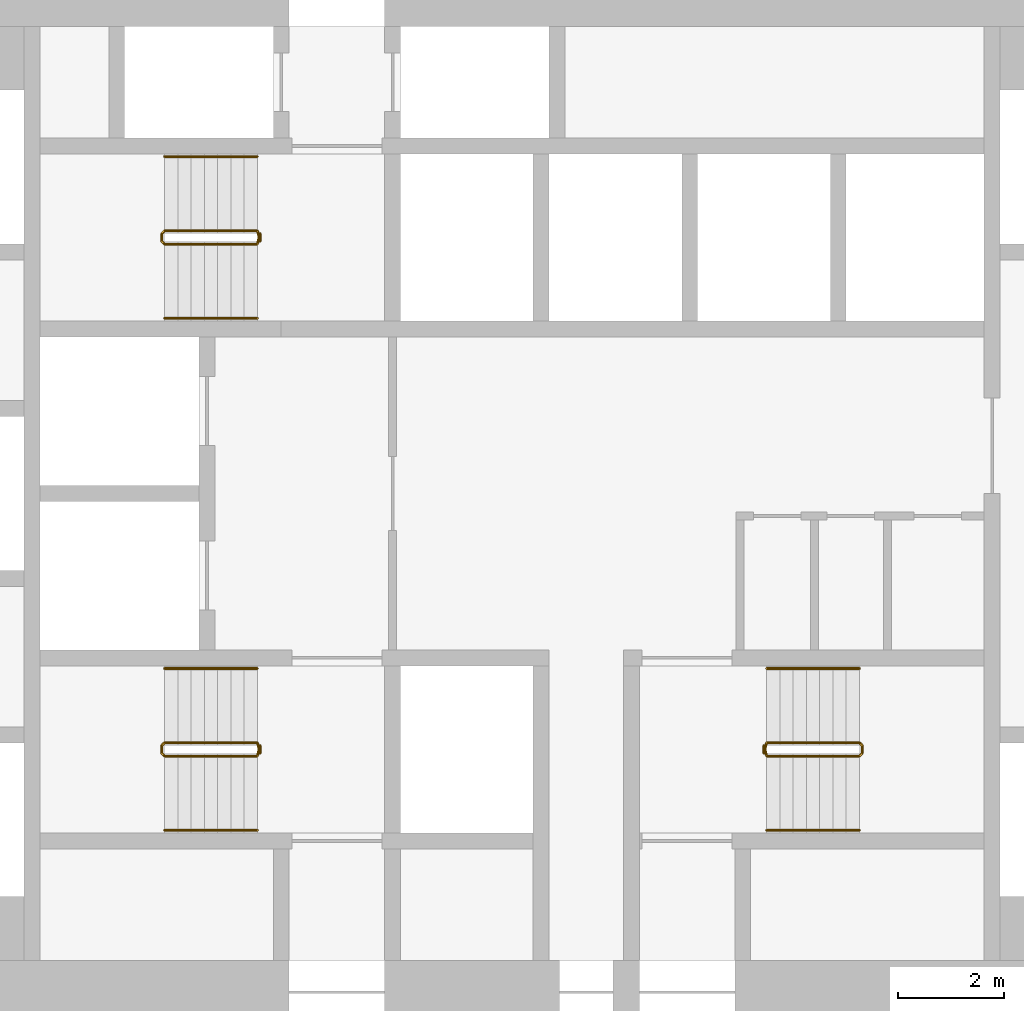
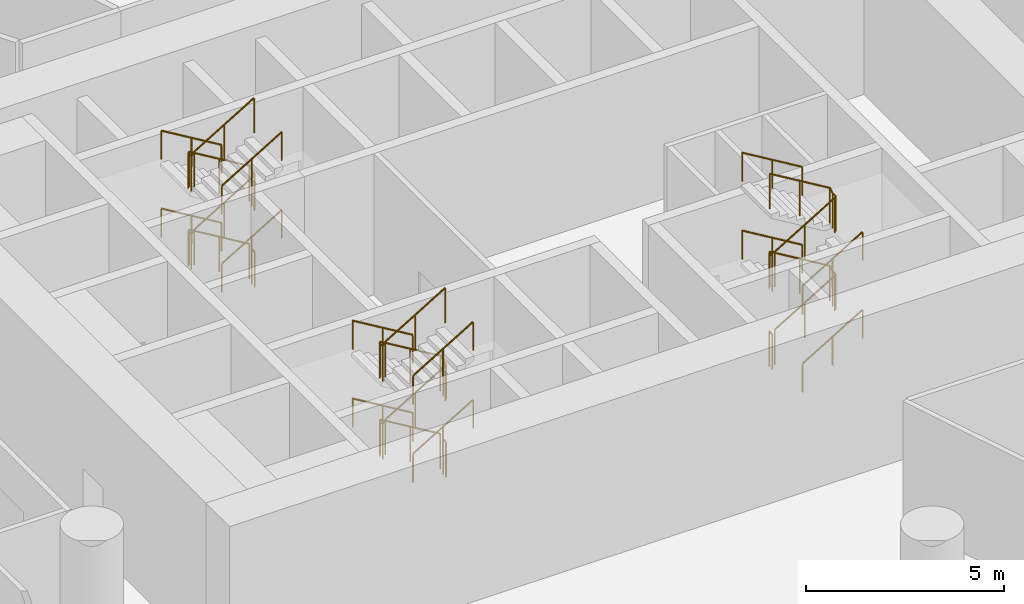
# One storey, part 12 of 12: 18 railings.
"""IFC4 building model written with IfcOpenShell, lengths in metres."""

from ifc_helpers import new_model, si_unit, direction, frame, origin, origin_2d, place, context, subcontext, project, spatial, circle, extrude, material, type_object, element, save


model = new_model("IFC4")

# Units and contexts
model_context = context("Model", 3, precision=1e-05, world=origin(), true_north=direction((0.0, 1.0)))
body_context = subcontext(model_context, "Body", "Model", "MODEL_VIEW")
ifc_project = project(units=[si_unit("LENGTHUNIT", "METRE"), si_unit("AREAUNIT", "SQUARE_METRE"), si_unit("VOLUMEUNIT", "CUBIC_METRE"), si_unit("PLANEANGLEUNIT", "RADIAN"), si_unit("MASSUNIT", "GRAM", prefix="KILO")], contexts=[model_context])

# Site, building, storey
site_placement = place(None, origin())
site = spatial("IfcSite", under=ifc_project, at=site_placement, CompositionType="ELEMENT")
building_placement = place(site_placement, origin())
building = spatial("IfcBuilding", under=site, at=building_placement, Name="Tracery Tower", CompositionType="ELEMENT")
storey_placement = place(building_placement, frame((0.0, 0.0, 13.800048828125)))
storey = spatial("IfcBuildingStorey", under=building, at=storey_placement, Name="L02", CompositionType="ELEMENT", Elevation=13.800048828125)

# Railings
ifc_material_1 = material(Name="Stainless steel and laminated glass", Category="steel")
railing_type_1 = type_object("IfcRailingType", Name="Stair guard 1100", PredefinedType="GUARDRAIL", material=ifc_material_1)
railing_1_placement = place(storey_placement, frame((-4.800048828125, -4.699951171875, 0.14990234375)))
element("IfcRailing", 1, at=railing_1_placement, inside=storey, type_object=railing_type_1, Name="L02 stair ST1 guard 1", PredefinedType="GUARDRAIL", context=body_context, shape_type="SweptSolid", body=[
    extrude(circle(Radius=0.02392578125, at=origin_2d()), frame((0.0, 0.0, 1.076171875), z_axis=(-0.857482370257, 0.0, 0.514513347444), x_axis=(0.0, -1.0, 0.0)), (0.0, 0.0, 1.0), 2.040771484375),
    extrude(circle(Radius=0.02392578125, at=origin_2d()), frame((-1.75, 0.0, 2.1259765625), z_axis=(-0.707106781187, -0.707106781187, 0.0), x_axis=(0.707106781187, -0.707106781187, 0.0)), (0.0, 0.0, 1.0), 0.07080078125),
    extrude(circle(Radius=0.02392578125, at=origin_2d()), frame((-1.800048828125, -0.050048828125, 2.1259765625), z_axis=(0.0, -1.0, 0.0), x_axis=(1.0, 0.0, 0.0)), (0.0, 0.0, 1.0), 0.14990234375),
    extrude(circle(Radius=0.02392578125, at=origin_2d()), frame((-1.800048828125, -0.199951171875, 2.1259765625), z_axis=(0.301912943143, -0.301912943143, 0.904266083366), x_axis=(0.707106781187, 0.707106781187, 0.0)), (0.0, 0.0, 1.0), 0.165771484375),
    extrude(circle(Radius=0.02392578125, at=origin_2d()), frame((-1.75, -0.25, 2.27587890625), z_axis=(0.857482370257, 0.0, 0.514513347444), x_axis=(0.0, 1.0, 0.0)), (0.0, 0.0, 1.0), 2.040771484375),
    extrude(circle(Radius=0.02392578125, at=origin_2d()), frame((0.0, -0.25, 3.326171875), z_axis=(0.242814311512, 0.970072785993, 0.0), x_axis=(-0.970072785993, 0.242814311512, 0.0)), (0.0, 0.0, 1.0), 0.2060546875),
    extrude(circle(Radius=0.02392578125, at=origin_2d()), frame((0.050048828125, -0.050048828125, 3.326171875), z_axis=(0.0, -1.0, 0.0), x_axis=(1.0, 0.0, 0.0)), (0.0, 0.0, 1.0), 0.14990234375),
    extrude(circle(Radius=0.02392578125, at=origin_2d()), frame((0.050048828125, -0.199951171875, 3.326171875), z_axis=(-0.196263390168, 0.784096178282, 0.588790170505), x_axis=(-0.970072785993, -0.242814311512, 0.0)), (0.0, 0.0, 1.0), 0.255126953125),
    extrude(circle(Radius=0.02392578125, at=origin_2d()), frame((0.0, 0.0, 3.47607421875), z_axis=(-0.857535146522, 0.0, 0.514425380866), x_axis=(0.0, -1.0, 0.0)), (0.0, 0.0, 1.0), 2.040771484375),
    extrude(circle(Radius=0.02392578125, at=origin_2d()), frame((-1.75, 0.0, 4.52587890625), z_axis=(-0.707106781187, -0.707106781187, 0.0), x_axis=(0.707106781187, -0.707106781187, 0.0)), (0.0, 0.0, 1.0), 0.07080078125),
    extrude(circle(Radius=0.02392578125, at=origin_2d()), frame((-1.800048828125, -0.050048828125, 4.52587890625), z_axis=(0.0, -1.0, 0.0), x_axis=(1.0, 0.0, 0.0)), (0.0, 0.0, 1.0), 0.14990234375),
    extrude(circle(Radius=0.02392578125, at=origin_2d()), frame((-1.800048828125, -0.199951171875, 4.52587890625), z_axis=(0.301511344578, -0.301511344578, 0.904534033733), x_axis=(0.707106781187, 0.707106781187, 0.0)), (0.0, 0.0, 1.0), 0.166015625),
    extrude(circle(Radius=0.02392578125, at=origin_2d()), frame((-1.75, -0.25, 4.67626953125), z_axis=(0.857482370257, 0.0, 0.514513347444), x_axis=(0.0, 1.0, 0.0)), (0.0, 0.0, 1.0), 2.040771484375),
    extrude(circle(Radius=0.02099609375, at=origin_2d()), origin(), (0.0, 0.0, 1.0), 1.052001953125),
    extrude(circle(Radius=0.02099609375, at=origin_2d()), frame((-0.875, 0.0, 0.52490234375)), (0.0, 0.0, 1.0), 1.052001953125),
    extrude(circle(Radius=0.02099609375, at=origin_2d()), frame((-1.75, 0.0, 1.050048828125)), (0.0, 0.0, 1.0), 1.052001953125),
    extrude(circle(Radius=0.02099609375, at=origin_2d()), frame((-1.800048828125, -0.050048828125, 1.050048828125)), (0.0, 0.0, 1.0), 1.052001953125),
    extrude(circle(Radius=0.02099609375, at=origin_2d()), frame((-1.800048828125, -0.199951171875, 1.050048828125)), (0.0, 0.0, 1.0), 1.052001953125),
    extrude(circle(Radius=0.02099609375, at=origin_2d()), frame((-1.75, -0.25, 1.199951171875)), (0.0, 0.0, 1.0), 1.052001953125),
    extrude(circle(Radius=0.02099609375, at=origin_2d()), frame((-0.875, -0.25, 1.72509765625)), (0.0, 0.0, 1.0), 1.052001953125),
    extrude(circle(Radius=0.02099609375, at=origin_2d()), frame((0.0, -0.25, 2.25)), (0.0, 0.0, 1.0), 1.052001953125),
    extrude(circle(Radius=0.02099609375, at=origin_2d()), frame((0.050048828125, -0.050048828125, 2.25)), (0.0, 0.0, 1.0), 1.052001953125),
    extrude(circle(Radius=0.02099609375, at=origin_2d()), frame((0.050048828125, -0.199951171875, 2.25)), (0.0, 0.0, 1.0), 1.052001953125),
    extrude(circle(Radius=0.02099609375, at=origin_2d()), frame((0.0, 0.0, 2.400146484375)), (0.0, 0.0, 1.0), 1.052001953125),
    extrude(circle(Radius=0.02099609375, at=origin_2d()), frame((-0.875, 0.0, 2.925048828125)), (0.0, 0.0, 1.0), 1.052001953125),
    extrude(circle(Radius=0.02099609375, at=origin_2d()), frame((-1.75, 0.0, 3.449951171875)), (0.0, 0.0, 1.0), 1.052001953125),
    extrude(circle(Radius=0.02099609375, at=origin_2d()), frame((-1.800048828125, -0.050048828125, 3.449951171875)), (0.0, 0.0, 1.0), 1.052001953125),
    extrude(circle(Radius=0.02099609375, at=origin_2d()), frame((-1.800048828125, -0.199951171875, 3.449951171875)), (0.0, 0.0, 1.0), 1.052001953125),
    extrude(circle(Radius=0.02099609375, at=origin_2d()), frame((-1.75, -0.25, 3.60009765625)), (0.0, 0.0, 1.0), 1.052001953125),
    extrude(circle(Radius=0.02099609375, at=origin_2d()), frame((-0.875, -0.25, 4.125)), (0.0, 0.0, 1.0), 1.052001953125),
    extrude(circle(Radius=0.02099609375, at=origin_2d()), frame((0.0, -0.25, 4.650146484375)), (0.0, 0.0, 1.0), 1.052001953125),
])
railing_2_placement = place(storey_placement, frame((-4.75, -4.75, 0.0)))
element("IfcRailing", 2, at=railing_2_placement, inside=storey, type_object=railing_type_1, Name="L02 stair ST1 guard 2", PredefinedType="GUARDRAIL", context=body_context, shape_type="SweptSolid", body=[
    extrude(circle(Radius=0.02392578125, at=origin_2d()), frame((0.0, 0.0, 1.076171875), z_axis=(0.0, -1.0, 0.0), x_axis=(1.0, 0.0, 0.0)), (0.0, 0.0, 1.0), 0.14990234375),
    extrude(circle(Radius=0.02099609375, at=origin_2d()), origin(), (0.0, 0.0, 1.0), 1.052001953125),
    extrude(circle(Radius=0.02099609375, at=origin_2d()), frame((0.0, -0.14990234375, 0.0)), (0.0, 0.0, 1.0), 1.052001953125),
])
railing_3_placement = place(storey_placement, frame((-4.800048828125, 4.949951171875, 0.14990234375)))
element("IfcRailing", 3, at=railing_3_placement, inside=storey, type_object=railing_type_1, Name="L02 stair ST3 guard 1", PredefinedType="GUARDRAIL", context=body_context, shape_type="SweptSolid", body=[
    extrude(circle(Radius=0.02392578125, at=origin_2d()), frame((0.0, 0.0, 1.076171875), z_axis=(-0.857482370257, 0.0, 0.514513347444), x_axis=(0.0, -1.0, 0.0)), (0.0, 0.0, 1.0), 2.040771484375),
    extrude(circle(Radius=0.02392578125, at=origin_2d()), frame((-1.75, 0.0, 2.1259765625), z_axis=(-0.707106781187, -0.707106781187, 0.0), x_axis=(0.707106781187, -0.707106781187, 0.0)), (0.0, 0.0, 1.0), 0.07080078125),
    extrude(circle(Radius=0.02392578125, at=origin_2d()), frame((-1.800048828125, -0.050048828125, 2.1259765625), z_axis=(0.0, -1.0, 0.0), x_axis=(1.0, 0.0, 0.0)), (0.0, 0.0, 1.0), 0.14990234375),
    extrude(circle(Radius=0.02392578125, at=origin_2d()), frame((-1.800048828125, -0.199951171875, 2.1259765625), z_axis=(0.301912943143, -0.301912943143, 0.904266083366), x_axis=(0.707106781187, 0.707106781187, 0.0)), (0.0, 0.0, 1.0), 0.165771484375),
    extrude(circle(Radius=0.02392578125, at=origin_2d()), frame((-1.75, -0.25, 2.27587890625), z_axis=(0.857482370257, 0.0, 0.514513347444), x_axis=(0.0, 1.0, 0.0)), (0.0, 0.0, 1.0), 2.040771484375),
    extrude(circle(Radius=0.02392578125, at=origin_2d()), frame((0.0, -0.25, 3.326171875), z_axis=(0.242814311512, 0.970072785993, 0.0), x_axis=(-0.970072785993, 0.242814311512, 0.0)), (0.0, 0.0, 1.0), 0.2060546875),
    extrude(circle(Radius=0.02392578125, at=origin_2d()), frame((0.050048828125, -0.050048828125, 3.326171875), z_axis=(0.0, -1.0, 0.0), x_axis=(1.0, 0.0, 0.0)), (0.0, 0.0, 1.0), 0.14990234375),
    extrude(circle(Radius=0.02392578125, at=origin_2d()), frame((0.050048828125, -0.199951171875, 3.326171875), z_axis=(-0.196263390168, 0.784096178282, 0.588790170505), x_axis=(-0.970072785993, -0.242814311512, 0.0)), (0.0, 0.0, 1.0), 0.255126953125),
    extrude(circle(Radius=0.02392578125, at=origin_2d()), frame((0.0, 0.0, 3.47607421875), z_axis=(-0.857535146522, 0.0, 0.514425380866), x_axis=(0.0, -1.0, 0.0)), (0.0, 0.0, 1.0), 2.040771484375),
    extrude(circle(Radius=0.02392578125, at=origin_2d()), frame((-1.75, 0.0, 4.52587890625), z_axis=(-0.707106781187, -0.707106781187, 0.0), x_axis=(0.707106781187, -0.707106781187, 0.0)), (0.0, 0.0, 1.0), 0.07080078125),
    extrude(circle(Radius=0.02392578125, at=origin_2d()), frame((-1.800048828125, -0.050048828125, 4.52587890625), z_axis=(0.0, -1.0, 0.0), x_axis=(1.0, 0.0, 0.0)), (0.0, 0.0, 1.0), 0.14990234375),
    extrude(circle(Radius=0.02392578125, at=origin_2d()), frame((-1.800048828125, -0.199951171875, 4.52587890625), z_axis=(0.301511344578, -0.301511344578, 0.904534033733), x_axis=(0.707106781187, 0.707106781187, 0.0)), (0.0, 0.0, 1.0), 0.166015625),
    extrude(circle(Radius=0.02392578125, at=origin_2d()), frame((-1.75, -0.25, 4.67626953125), z_axis=(0.857482370257, 0.0, 0.514513347444), x_axis=(0.0, 1.0, 0.0)), (0.0, 0.0, 1.0), 2.040771484375),
    extrude(circle(Radius=0.02099609375, at=origin_2d()), origin(), (0.0, 0.0, 1.0), 1.052001953125),
    extrude(circle(Radius=0.02099609375, at=origin_2d()), frame((-0.875, 0.0, 0.52490234375)), (0.0, 0.0, 1.0), 1.052001953125),
    extrude(circle(Radius=0.02099609375, at=origin_2d()), frame((-1.75, 0.0, 1.050048828125)), (0.0, 0.0, 1.0), 1.052001953125),
    extrude(circle(Radius=0.02099609375, at=origin_2d()), frame((-1.800048828125, -0.050048828125, 1.050048828125)), (0.0, 0.0, 1.0), 1.052001953125),
    extrude(circle(Radius=0.02099609375, at=origin_2d()), frame((-1.800048828125, -0.199951171875, 1.050048828125)), (0.0, 0.0, 1.0), 1.052001953125),
    extrude(circle(Radius=0.02099609375, at=origin_2d()), frame((-1.75, -0.25, 1.199951171875)), (0.0, 0.0, 1.0), 1.052001953125),
    extrude(circle(Radius=0.02099609375, at=origin_2d()), frame((-0.875, -0.25, 1.72509765625)), (0.0, 0.0, 1.0), 1.052001953125),
    extrude(circle(Radius=0.02099609375, at=origin_2d()), frame((0.0, -0.25, 2.25)), (0.0, 0.0, 1.0), 1.052001953125),
    extrude(circle(Radius=0.02099609375, at=origin_2d()), frame((0.050048828125, -0.050048828125, 2.25)), (0.0, 0.0, 1.0), 1.052001953125),
    extrude(circle(Radius=0.02099609375, at=origin_2d()), frame((0.050048828125, -0.199951171875, 2.25)), (0.0, 0.0, 1.0), 1.052001953125),
    extrude(circle(Radius=0.02099609375, at=origin_2d()), frame((0.0, 0.0, 2.400146484375)), (0.0, 0.0, 1.0), 1.052001953125),
    extrude(circle(Radius=0.02099609375, at=origin_2d()), frame((-0.875, 0.0, 2.925048828125)), (0.0, 0.0, 1.0), 1.052001953125),
    extrude(circle(Radius=0.02099609375, at=origin_2d()), frame((-1.75, 0.0, 3.449951171875)), (0.0, 0.0, 1.0), 1.052001953125),
    extrude(circle(Radius=0.02099609375, at=origin_2d()), frame((-1.800048828125, -0.050048828125, 3.449951171875)), (0.0, 0.0, 1.0), 1.052001953125),
    extrude(circle(Radius=0.02099609375, at=origin_2d()), frame((-1.800048828125, -0.199951171875, 3.449951171875)), (0.0, 0.0, 1.0), 1.052001953125),
    extrude(circle(Radius=0.02099609375, at=origin_2d()), frame((-1.75, -0.25, 3.60009765625)), (0.0, 0.0, 1.0), 1.052001953125),
    extrude(circle(Radius=0.02099609375, at=origin_2d()), frame((-0.875, -0.25, 4.125)), (0.0, 0.0, 1.0), 1.052001953125),
    extrude(circle(Radius=0.02099609375, at=origin_2d()), frame((0.0, -0.25, 4.650146484375)), (0.0, 0.0, 1.0), 1.052001953125),
])
railing_4_placement = place(storey_placement, frame((-4.75, 4.89990234375, 0.0)))
element("IfcRailing", 4, at=railing_4_placement, inside=storey, type_object=railing_type_1, Name="L02 stair ST3 guard 2", PredefinedType="GUARDRAIL", context=body_context, shape_type="SweptSolid", body=[
    extrude(circle(Radius=0.02392578125, at=origin_2d()), frame((0.0, 0.0, 1.076171875), z_axis=(0.0, -1.0, 0.0), x_axis=(1.0, 0.0, 0.0)), (0.0, 0.0, 1.0), 0.14990234375),
    extrude(circle(Radius=0.02099609375, at=origin_2d()), origin(), (0.0, 0.0, 1.0), 1.052001953125),
    extrude(circle(Radius=0.02099609375, at=origin_2d()), frame((0.0, -0.14990234375, 0.0)), (0.0, 0.0, 1.0), 1.052001953125),
])
railing_5_placement = place(storey_placement, frame((4.800048828125, -4.949951171875, 0.14990234375)))
element("IfcRailing", 5, at=railing_5_placement, inside=storey, type_object=railing_type_1, Name="L02 stair ST2 guard 1", PredefinedType="GUARDRAIL", context=body_context, shape_type="SweptSolid", body=[
    extrude(circle(Radius=0.02392578125, at=origin_2d()), frame((0.0, 0.0, 1.076171875), z_axis=(0.857482370257, 0.0, 0.514513347444), x_axis=(0.0, 1.0, 0.0)), (0.0, 0.0, 1.0), 2.040771484375),
    extrude(circle(Radius=0.02392578125, at=origin_2d()), frame((1.75, 0.0, 2.1259765625), z_axis=(0.707106781187, 0.707106781187, 0.0), x_axis=(-0.707106781187, 0.707106781187, 0.0)), (0.0, 0.0, 1.0), 0.07080078125),
    extrude(circle(Radius=0.02392578125, at=origin_2d()), frame((1.800048828125, 0.050048828125, 2.1259765625), z_axis=(0.0, 1.0, 0.0), x_axis=(-1.0, 0.0, 0.0)), (0.0, 0.0, 1.0), 0.14990234375),
    extrude(circle(Radius=0.02392578125, at=origin_2d()), frame((1.800048828125, 0.199951171875, 2.1259765625), z_axis=(-0.301912943143, 0.301912943143, 0.904266083366), x_axis=(-0.707106781187, -0.707106781187, 0.0)), (0.0, 0.0, 1.0), 0.165771484375),
    extrude(circle(Radius=0.02392578125, at=origin_2d()), frame((1.75, 0.25, 2.27587890625), z_axis=(-0.857482370257, 0.0, 0.514513347444), x_axis=(0.0, -1.0, 0.0)), (0.0, 0.0, 1.0), 2.040771484375),
    extrude(circle(Radius=0.02392578125, at=origin_2d()), frame((0.0, 0.25, 3.326171875), z_axis=(-0.242814311512, -0.970072785993, 0.0), x_axis=(0.970072785993, -0.242814311512, 0.0)), (0.0, 0.0, 1.0), 0.2060546875),
    extrude(circle(Radius=0.02392578125, at=origin_2d()), frame((-0.050048828125, 0.050048828125, 3.326171875), z_axis=(0.0, 1.0, 0.0), x_axis=(-1.0, 0.0, 0.0)), (0.0, 0.0, 1.0), 0.14990234375),
    extrude(circle(Radius=0.02392578125, at=origin_2d()), frame((-0.050048828125, 0.199951171875, 3.326171875), z_axis=(0.196263390168, -0.784096178282, 0.588790170505), x_axis=(0.970072785993, 0.242814311512, 0.0)), (0.0, 0.0, 1.0), 0.255126953125),
    extrude(circle(Radius=0.02392578125, at=origin_2d()), frame((0.0, 0.0, 3.47607421875), z_axis=(0.857535146522, 0.0, 0.514425380866), x_axis=(0.0, 1.0, 0.0)), (0.0, 0.0, 1.0), 2.040771484375),
    extrude(circle(Radius=0.02392578125, at=origin_2d()), frame((1.75, 0.0, 4.52587890625), z_axis=(0.707106781187, 0.707106781187, 0.0), x_axis=(-0.707106781187, 0.707106781187, 0.0)), (0.0, 0.0, 1.0), 0.07080078125),
    extrude(circle(Radius=0.02392578125, at=origin_2d()), frame((1.800048828125, 0.050048828125, 4.52587890625), z_axis=(0.0, 1.0, 0.0), x_axis=(-1.0, 0.0, 0.0)), (0.0, 0.0, 1.0), 0.14990234375),
    extrude(circle(Radius=0.02392578125, at=origin_2d()), frame((1.800048828125, 0.199951171875, 4.52587890625), z_axis=(-0.301511344578, 0.301511344578, 0.904534033733), x_axis=(-0.707106781187, -0.707106781187, 0.0)), (0.0, 0.0, 1.0), 0.166015625),
    extrude(circle(Radius=0.02392578125, at=origin_2d()), frame((1.75, 0.25, 4.67626953125), z_axis=(-0.857482370257, 0.0, 0.514513347444), x_axis=(0.0, -1.0, 0.0)), (0.0, 0.0, 1.0), 2.040771484375),
    extrude(circle(Radius=0.02099609375, at=origin_2d()), origin(), (0.0, 0.0, 1.0), 1.052001953125),
    extrude(circle(Radius=0.02099609375, at=origin_2d()), frame((0.875, 0.0, 0.52490234375)), (0.0, 0.0, 1.0), 1.052001953125),
    extrude(circle(Radius=0.02099609375, at=origin_2d()), frame((1.75, 0.0, 1.050048828125)), (0.0, 0.0, 1.0), 1.052001953125),
    extrude(circle(Radius=0.02099609375, at=origin_2d()), frame((1.800048828125, 0.050048828125, 1.050048828125)), (0.0, 0.0, 1.0), 1.052001953125),
    extrude(circle(Radius=0.02099609375, at=origin_2d()), frame((1.800048828125, 0.199951171875, 1.050048828125)), (0.0, 0.0, 1.0), 1.052001953125),
    extrude(circle(Radius=0.02099609375, at=origin_2d()), frame((1.75, 0.25, 1.199951171875)), (0.0, 0.0, 1.0), 1.052001953125),
    extrude(circle(Radius=0.02099609375, at=origin_2d()), frame((0.875, 0.25, 1.72509765625)), (0.0, 0.0, 1.0), 1.052001953125),
    extrude(circle(Radius=0.02099609375, at=origin_2d()), frame((0.0, 0.25, 2.25)), (0.0, 0.0, 1.0), 1.052001953125),
    extrude(circle(Radius=0.02099609375, at=origin_2d()), frame((-0.050048828125, 0.050048828125, 2.25)), (0.0, 0.0, 1.0), 1.052001953125),
    extrude(circle(Radius=0.02099609375, at=origin_2d()), frame((-0.050048828125, 0.199951171875, 2.25)), (0.0, 0.0, 1.0), 1.052001953125),
    extrude(circle(Radius=0.02099609375, at=origin_2d()), frame((0.0, 0.0, 2.400146484375)), (0.0, 0.0, 1.0), 1.052001953125),
    extrude(circle(Radius=0.02099609375, at=origin_2d()), frame((0.875, 0.0, 2.925048828125)), (0.0, 0.0, 1.0), 1.052001953125),
    extrude(circle(Radius=0.02099609375, at=origin_2d()), frame((1.75, 0.0, 3.449951171875)), (0.0, 0.0, 1.0), 1.052001953125),
    extrude(circle(Radius=0.02099609375, at=origin_2d()), frame((1.800048828125, 0.050048828125, 3.449951171875)), (0.0, 0.0, 1.0), 1.052001953125),
    extrude(circle(Radius=0.02099609375, at=origin_2d()), frame((1.800048828125, 0.199951171875, 3.449951171875)), (0.0, 0.0, 1.0), 1.052001953125),
    extrude(circle(Radius=0.02099609375, at=origin_2d()), frame((1.75, 0.25, 3.60009765625)), (0.0, 0.0, 1.0), 1.052001953125),
    extrude(circle(Radius=0.02099609375, at=origin_2d()), frame((0.875, 0.25, 4.125)), (0.0, 0.0, 1.0), 1.052001953125),
    extrude(circle(Radius=0.02099609375, at=origin_2d()), frame((0.0, 0.25, 4.650146484375)), (0.0, 0.0, 1.0), 1.052001953125),
])
railing_6_placement = place(storey_placement, frame((4.75, -4.89990234375, 0.0)))
element("IfcRailing", 6, at=railing_6_placement, inside=storey, type_object=railing_type_1, Name="L02 stair ST2 guard 2", PredefinedType="GUARDRAIL", context=body_context, shape_type="SweptSolid", body=[
    extrude(circle(Radius=0.02392578125, at=origin_2d()), frame((0.0, 0.0, 1.076171875), z_axis=(0.0, 1.0, 0.0), x_axis=(-1.0, 0.0, 0.0)), (0.0, 0.0, 1.0), 0.14990234375),
    extrude(circle(Radius=0.02099609375, at=origin_2d()), origin(), (0.0, 0.0, 1.0), 1.052001953125),
    extrude(circle(Radius=0.02099609375, at=origin_2d()), frame((0.0, 0.14990234375, 0.0)), (0.0, 0.0, 1.0), 1.052001953125),
])
ifc_material_2 = material(Name="Stainless steel and laminated glass", Category="steel")
railing_type_2 = type_object("IfcRailingType", Name="Stair handrail 900", PredefinedType="HANDRAIL", material=ifc_material_2)
railing_7_placement = place(storey_placement, frame((-4.800048828125, -3.300048828125, 0.14990234375)))
element("IfcRailing", 7, at=railing_7_placement, inside=storey, type_object=railing_type_2, Name="L02 stair ST1 handrail 1", PredefinedType="HANDRAIL", context=body_context, shape_type="SweptSolid", body=[
    extrude(circle(Radius=0.02392578125, at=origin_2d()), frame((0.0, 0.0, 0.8759765625), z_axis=(-0.857482370257, 0.0, 0.514513347444), x_axis=(0.0, -1.0, 0.0)), (0.0, 0.0, 1.0), 2.040771484375),
    extrude(circle(Radius=0.02099609375, at=origin_2d()), origin(), (0.0, 0.0, 1.0), 0.851806640625),
    extrude(circle(Radius=0.02099609375, at=origin_2d()), frame((-0.875, 0.0, 0.52490234375)), (0.0, 0.0, 1.0), 0.851806640625),
    extrude(circle(Radius=0.02099609375, at=origin_2d()), frame((-1.75, 0.0, 1.050048828125)), (0.0, 0.0, 1.0), 0.851806640625),
])
railing_8_placement = place(storey_placement, frame((-6.550048828125, -6.35009765625, 1.349853515625)))
element("IfcRailing", 8, at=railing_8_placement, inside=storey, type_object=railing_type_2, Name="L02 stair ST1 handrail 2", PredefinedType="HANDRAIL", context=body_context, shape_type="SweptSolid", body=[
    extrude(circle(Radius=0.02392578125, at=origin_2d()), frame((0.0, 0.0, 0.8759765625), z_axis=(0.857482370257, 0.0, 0.514513347444), x_axis=(0.0, 1.0, 0.0)), (0.0, 0.0, 1.0), 2.040771484375),
    extrude(circle(Radius=0.02099609375, at=origin_2d()), origin(), (0.0, 0.0, 1.0), 0.851806640625),
    extrude(circle(Radius=0.02099609375, at=origin_2d()), frame((0.875, 0.0, 0.52490234375)), (0.0, 0.0, 1.0), 0.851806640625),
    extrude(circle(Radius=0.02099609375, at=origin_2d()), frame((1.75, 0.0, 1.050048828125)), (0.0, 0.0, 1.0), 0.851806640625),
])
railing_9_placement = place(storey_placement, frame((-4.800048828125, -3.300048828125, 2.550048828125)))
element("IfcRailing", 9, at=railing_9_placement, inside=storey, type_object=railing_type_2, Name="L02 stair ST1 handrail 3", PredefinedType="HANDRAIL", context=body_context, shape_type="SweptSolid", body=[
    extrude(circle(Radius=0.02392578125, at=origin_2d()), frame((0.0, 0.0, 0.8759765625), z_axis=(-0.857535146522, 0.0, 0.514425380866), x_axis=(0.0, -1.0, 0.0)), (0.0, 0.0, 1.0), 2.040771484375),
    extrude(circle(Radius=0.02099609375, at=origin_2d()), origin(), (0.0, 0.0, 1.0), 0.851806640625),
    extrude(circle(Radius=0.02099609375, at=origin_2d()), frame((-0.875, 0.0, 0.52490234375)), (0.0, 0.0, 1.0), 0.851806640625),
    extrude(circle(Radius=0.02099609375, at=origin_2d()), frame((-1.75, 0.0, 1.0498046875)), (0.0, 0.0, 1.0), 0.851806640625),
])
railing_10_placement = place(storey_placement, frame((-6.550048828125, -6.35009765625, 3.75)))
element("IfcRailing", 10, at=railing_10_placement, inside=storey, type_object=railing_type_2, Name="L02 stair ST1 handrail 4", PredefinedType="HANDRAIL", context=body_context, shape_type="SweptSolid", body=[
    extrude(circle(Radius=0.02392578125, at=origin_2d()), frame((0.0, 0.0, 0.8759765625), z_axis=(0.857482370257, 0.0, 0.514513347444), x_axis=(0.0, 1.0, 0.0)), (0.0, 0.0, 1.0), 2.040771484375),
    extrude(circle(Radius=0.02099609375, at=origin_2d()), origin(), (0.0, 0.0, 1.0), 0.851806640625),
    extrude(circle(Radius=0.02099609375, at=origin_2d()), frame((0.875, 0.0, 0.52490234375)), (0.0, 0.0, 1.0), 0.851806640625),
    extrude(circle(Radius=0.02099609375, at=origin_2d()), frame((1.75, 0.0, 1.050048828125)), (0.0, 0.0, 1.0), 0.851806640625),
])
railing_11_placement = place(storey_placement, frame((-4.800048828125, 6.35009765625, 0.14990234375)))
element("IfcRailing", 11, at=railing_11_placement, inside=storey, type_object=railing_type_2, Name="L02 stair ST3 handrail 1", PredefinedType="HANDRAIL", context=body_context, shape_type="SweptSolid", body=[
    extrude(circle(Radius=0.02392578125, at=origin_2d()), frame((0.0, 0.0, 0.8759765625), z_axis=(-0.857482370257, 0.0, 0.514513347444), x_axis=(0.0, -1.0, 0.0)), (0.0, 0.0, 1.0), 2.040771484375),
    extrude(circle(Radius=0.02099609375, at=origin_2d()), origin(), (0.0, 0.0, 1.0), 0.851806640625),
    extrude(circle(Radius=0.02099609375, at=origin_2d()), frame((-0.875, 0.0, 0.52490234375)), (0.0, 0.0, 1.0), 0.851806640625),
    extrude(circle(Radius=0.02099609375, at=origin_2d()), frame((-1.75, 0.0, 1.050048828125)), (0.0, 0.0, 1.0), 0.851806640625),
])
railing_12_placement = place(storey_placement, frame((-6.550048828125, 3.300048828125, 1.349853515625)))
element("IfcRailing", 12, at=railing_12_placement, inside=storey, type_object=railing_type_2, Name="L02 stair ST3 handrail 2", PredefinedType="HANDRAIL", context=body_context, shape_type="SweptSolid", body=[
    extrude(circle(Radius=0.02392578125, at=origin_2d()), frame((0.0, 0.0, 0.8759765625), z_axis=(0.857482370257, 0.0, 0.514513347444), x_axis=(0.0, 1.0, 0.0)), (0.0, 0.0, 1.0), 2.040771484375),
    extrude(circle(Radius=0.02099609375, at=origin_2d()), origin(), (0.0, 0.0, 1.0), 0.851806640625),
    extrude(circle(Radius=0.02099609375, at=origin_2d()), frame((0.875, 0.0, 0.52490234375)), (0.0, 0.0, 1.0), 0.851806640625),
    extrude(circle(Radius=0.02099609375, at=origin_2d()), frame((1.75, 0.0, 1.050048828125)), (0.0, 0.0, 1.0), 0.851806640625),
])
railing_13_placement = place(storey_placement, frame((-4.800048828125, 6.35009765625, 2.550048828125)))
element("IfcRailing", 13, at=railing_13_placement, inside=storey, type_object=railing_type_2, Name="L02 stair ST3 handrail 3", PredefinedType="HANDRAIL", context=body_context, shape_type="SweptSolid", body=[
    extrude(circle(Radius=0.02392578125, at=origin_2d()), frame((0.0, 0.0, 0.8759765625), z_axis=(-0.857535146522, 0.0, 0.514425380866), x_axis=(0.0, -1.0, 0.0)), (0.0, 0.0, 1.0), 2.040771484375),
    extrude(circle(Radius=0.02099609375, at=origin_2d()), origin(), (0.0, 0.0, 1.0), 0.851806640625),
    extrude(circle(Radius=0.02099609375, at=origin_2d()), frame((-0.875, 0.0, 0.52490234375)), (0.0, 0.0, 1.0), 0.851806640625),
    extrude(circle(Radius=0.02099609375, at=origin_2d()), frame((-1.75, 0.0, 1.0498046875)), (0.0, 0.0, 1.0), 0.851806640625),
])
for number, where, name in (
    (14, (-6.550048828125, 3.300048828125, 3.75), "L02 stair ST3 handrail 4"),
    (15, (4.800048828125, -6.35009765625, 0.14990234375), "L02 stair ST2 handrail 1"),
):
    element("IfcRailing", number, at=place(storey_placement, frame(where)), inside=storey, type_object=railing_type_2, Name=name, PredefinedType="HANDRAIL", context=body_context, shape_type="SweptSolid", body=[
        extrude(circle(Radius=0.02392578125, at=origin_2d()), frame((0.0, 0.0, 0.8759765625), z_axis=(0.857482370257, 0.0, 0.514513347444), x_axis=(0.0, 1.0, 0.0)), (0.0, 0.0, 1.0), 2.040771484375),
        extrude(circle(Radius=0.02099609375, at=origin_2d()), origin(), (0.0, 0.0, 1.0), 0.851806640625),
        extrude(circle(Radius=0.02099609375, at=origin_2d()), frame((0.875, 0.0, 0.52490234375)), (0.0, 0.0, 1.0), 0.851806640625),
        extrude(circle(Radius=0.02099609375, at=origin_2d()), frame((1.75, 0.0, 1.050048828125)), (0.0, 0.0, 1.0), 0.851806640625),
    ])
railing_14_placement = place(storey_placement, frame((6.550048828125, -3.300048828125, 1.349853515625)))
element("IfcRailing", 16, at=railing_14_placement, inside=storey, type_object=railing_type_2, Name="L02 stair ST2 handrail 2", PredefinedType="HANDRAIL", context=body_context, shape_type="SweptSolid", body=[
    extrude(circle(Radius=0.02392578125, at=origin_2d()), frame((0.0, 0.0, 0.8759765625), z_axis=(-0.857482370257, 0.0, 0.514513347444), x_axis=(0.0, -1.0, 0.0)), (0.0, 0.0, 1.0), 2.040771484375),
    extrude(circle(Radius=0.02099609375, at=origin_2d()), origin(), (0.0, 0.0, 1.0), 0.851806640625),
    extrude(circle(Radius=0.02099609375, at=origin_2d()), frame((-0.875, 0.0, 0.52490234375)), (0.0, 0.0, 1.0), 0.851806640625),
    extrude(circle(Radius=0.02099609375, at=origin_2d()), frame((-1.75, 0.0, 1.050048828125)), (0.0, 0.0, 1.0), 0.851806640625),
])
railing_15_placement = place(storey_placement, frame((4.800048828125, -6.35009765625, 2.550048828125)))
element("IfcRailing", 17, at=railing_15_placement, inside=storey, type_object=railing_type_2, Name="L02 stair ST2 handrail 3", PredefinedType="HANDRAIL", context=body_context, shape_type="SweptSolid", body=[
    extrude(circle(Radius=0.02392578125, at=origin_2d()), frame((0.0, 0.0, 0.8759765625), z_axis=(0.857535146522, 0.0, 0.514425380866), x_axis=(0.0, 1.0, 0.0)), (0.0, 0.0, 1.0), 2.040771484375),
    extrude(circle(Radius=0.02099609375, at=origin_2d()), origin(), (0.0, 0.0, 1.0), 0.851806640625),
    extrude(circle(Radius=0.02099609375, at=origin_2d()), frame((0.875, 0.0, 0.52490234375)), (0.0, 0.0, 1.0), 0.851806640625),
    extrude(circle(Radius=0.02099609375, at=origin_2d()), frame((1.75, 0.0, 1.0498046875)), (0.0, 0.0, 1.0), 0.851806640625),
])
railing_16_placement = place(storey_placement, frame((6.550048828125, -3.300048828125, 3.75)))
element("IfcRailing", 18, at=railing_16_placement, inside=storey, type_object=railing_type_2, Name="L02 stair ST2 handrail 4", PredefinedType="HANDRAIL", context=body_context, shape_type="SweptSolid", body=[
    extrude(circle(Radius=0.02392578125, at=origin_2d()), frame((0.0, 0.0, 0.8759765625), z_axis=(-0.857482370257, 0.0, 0.514513347444), x_axis=(0.0, -1.0, 0.0)), (0.0, 0.0, 1.0), 2.040771484375),
    extrude(circle(Radius=0.02099609375, at=origin_2d()), origin(), (0.0, 0.0, 1.0), 0.851806640625),
    extrude(circle(Radius=0.02099609375, at=origin_2d()), frame((-0.875, 0.0, 0.52490234375)), (0.0, 0.0, 1.0), 0.851806640625),
    extrude(circle(Radius=0.02099609375, at=origin_2d()), frame((-1.75, 0.0, 1.050048828125)), (0.0, 0.0, 1.0), 0.851806640625),
])

save(model, "model.ifc")
